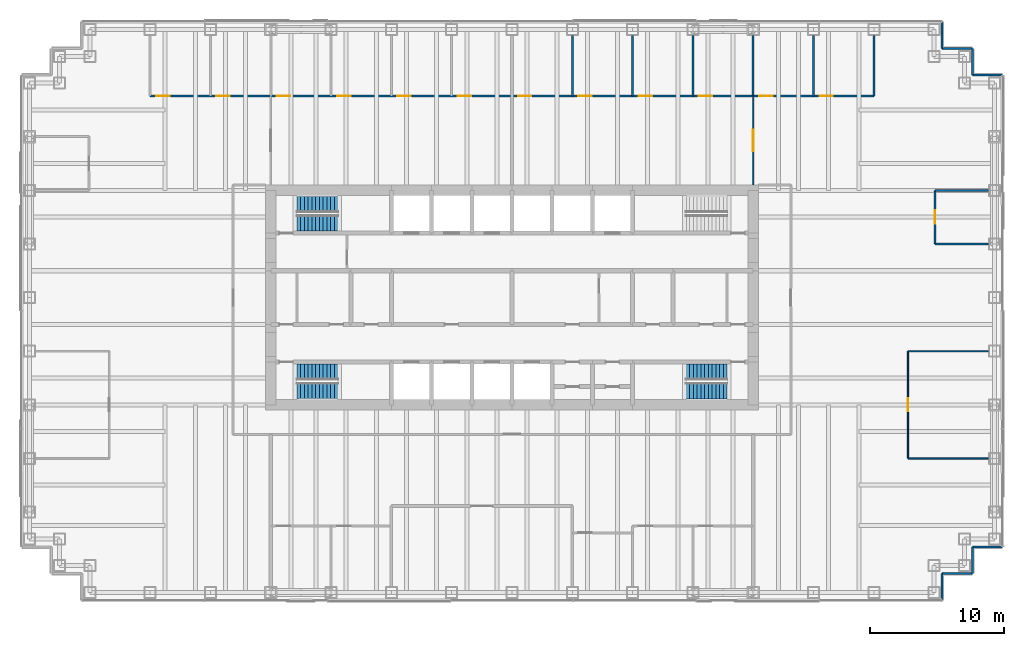
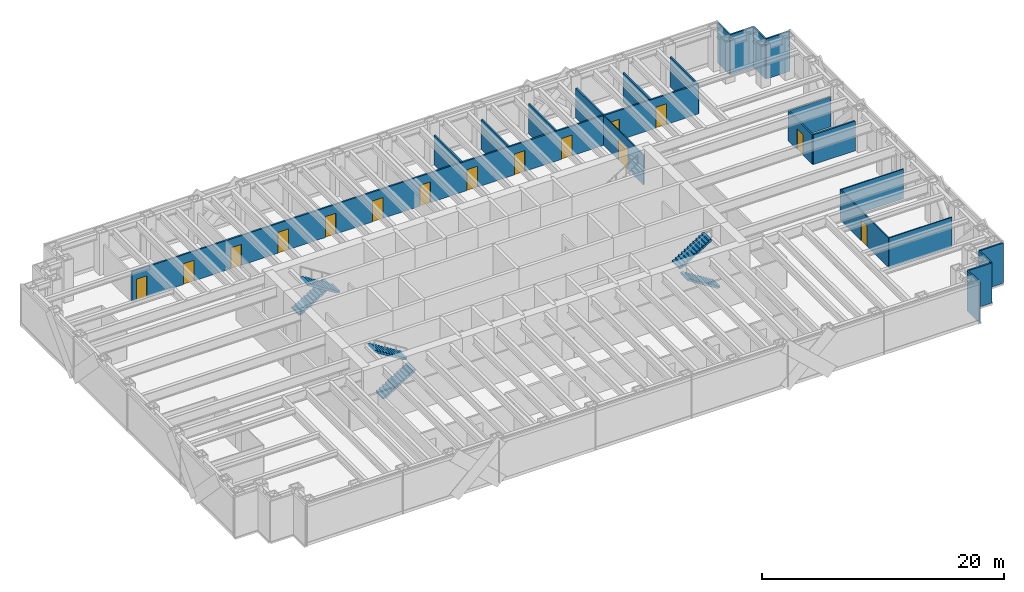
# One storey, part 15 of 17: 22 walls, 15 doors, 6 stair flights, 15 openings, 3 elements without a shape of their own.
"""IFC4 building model written with IfcOpenShell, lengths in metres."""

import ifcopenshell
import ifcopenshell.guid

model = None  # the IFC model being written
_history = None  # IfcOwnerHistory: only IFC2X3 demands one
_inside = {}  # id of a spatial element -> (the spatial element, [elements in it])
_under = {}  # id of a project, library or spatial element -> (it, [spatial elements below it])
_declared = {}  # id of a project -> (the project, [libraries it declares])
_typed = {}  # id of a type object -> (the type object, [elements of that type])
_made_of = {}  # id of a material, layer set ... -> (it, [elements and type objects made of it])


def new_model(schema):
    """Start an empty IFC model of exactly this schema.

    Asked for "IFC4X3", IfcOpenShell would pick the latest addendum, in which some entities
    have other attributes; the version numbers below select the first issue.
    IFC2X3 requires an IfcOwnerHistory on every rooted entity: one is made here for all.
    """
    global model, _history
    if schema == "IFC4X3":
        model = ifcopenshell.file(schema_version=(4, 3, 0, 0))
    else:
        model = ifcopenshell.file(schema=schema)
    _inside.clear()
    _under.clear()
    _declared.clear()
    _typed.clear()
    _made_of.clear()
    _history = None
    if model.schema == "IFC2X3":
        org = make("IfcOrganization", Name="unknown")
        user = make(
            "IfcPersonAndOrganization",
            ThePerson=make("IfcPerson", FamilyName="unknown"),
            TheOrganization=org,
        )
        app = make(
            "IfcApplication",
            ApplicationDeveloper=org,
            Version="unknown",
            ApplicationFullName="unknown",
            ApplicationIdentifier="unknown",
        )
        _history = make(
            "IfcOwnerHistory",
            OwningUser=user,
            OwningApplication=app,
            ChangeAction="ADDED",
            CreationDate=0,
        )
    return model


def make(cls, **values):
    """One entity of the class cls with the attributes given. An attribute that is None is left unset."""
    return model.create_entity(
        cls, **{name: value for name, value in values.items() if value is not None}
    )


def rooted(cls, **values):
    """An entity with a GlobalId (a new one), such as an element, a storey or a relation."""
    return make(cls, GlobalId=ifcopenshell.guid.new(), OwnerHistory=_history, **values)


def si_unit(unit_type, name, prefix=None):
    """IfcSIUnit, for example si_unit("LENGTHUNIT", "METRE", prefix="MILLI")."""
    return make("IfcSIUnit", UnitType=unit_type, Prefix=prefix, Name=name)


def assignment(units):
    """IfcUnitAssignment: the units of a project."""
    return None if units is None else make("IfcUnitAssignment", Units=units)


def point(xyz):
    """IfcCartesianPoint."""
    return None if xyz is None else make("IfcCartesianPoint", Coordinates=xyz)


def direction(xyz):
    """IfcDirection."""
    return None if xyz is None else make("IfcDirection", DirectionRatios=xyz)


def frame(location, z_axis=None, x_axis=None):
    """IfcAxis2Placement3D, a coordinate frame: its origin and axes. An axis left out is left unset."""
    return make(
        "IfcAxis2Placement3D",
        Location=point(location),
        Axis=direction(z_axis),
        RefDirection=direction(x_axis),
    )


def frame_2d(location, x_axis=None):
    """IfcAxis2Placement2D, a coordinate frame in the plane: its origin and x axis."""
    return make(
        "IfcAxis2Placement2D", Location=point(location), RefDirection=direction(x_axis)
    )


def origin():
    """The frame at (0, 0, 0) with its axes left unset."""
    return frame((0.0, 0.0, 0.0))


def place(relative_to, where):
    """IfcLocalPlacement: puts the frame where relative to a parent placement (None: the world)."""
    return make(
        "IfcLocalPlacement", PlacementRelTo=relative_to, RelativePlacement=where
    )


def context(
    kind, dimensions, precision=None, world=None, true_north=None, identifier=None
):
    """IfcGeometricRepresentationContext, for example the 3D "Model" context."""
    return make(
        "IfcGeometricRepresentationContext",
        ContextIdentifier=identifier,
        ContextType=kind,
        CoordinateSpaceDimension=dimensions,
        Precision=precision,
        WorldCoordinateSystem=world,
        TrueNorth=true_north,
    )


def subcontext(parent, identifier, kind, view, scale=None):
    """IfcGeometricRepresentationSubContext, for example "Body" below "Model"."""
    return make(
        "IfcGeometricRepresentationSubContext",
        ContextIdentifier=identifier,
        ContextType=kind,
        ParentContext=parent,
        TargetScale=scale,
        TargetView=view,
    )


def project(units=None, contexts=None):
    """IfcProject with its units and contexts."""
    return rooted(
        "IfcProject",
        Name="project",
        RepresentationContexts=contexts,
        UnitsInContext=assignment(units),
    )


def spatial(cls, under=None, at=None, **own):
    """A site, building, storey or space (cls), placed at a placement, below another one or the project."""
    s = rooted(cls, ObjectPlacement=at, **own)
    if under is not None:
        _under.setdefault(under.id(), (under, []))[1].append(s)
    return s


def polyline(points):
    """IfcPolyline through the points."""
    return make("IfcPolyline", Points=[point(p) for p in points])


def profile(cls, at=None, kind="AREA", **sizes):
    """A parametric profile (cls). Its sizes go by their IFC names, for example OverallWidth=200.0."""
    return make(cls, ProfileType=kind, Position=at, **sizes)


def rectangle(**sizes):
    """IfcRectangleProfileDef."""
    return profile("IfcRectangleProfileDef", **sizes)


def outline(outer, holes=None, kind="AREA"):
    """IfcArbitraryClosedProfileDef: a profile drawn as a closed curve; with holes, ...WithVoids."""
    if holes is None:
        return make("IfcArbitraryClosedProfileDef", ProfileType=kind, OuterCurve=outer)
    return make(
        "IfcArbitraryProfileDefWithVoids",
        ProfileType=kind,
        OuterCurve=outer,
        InnerCurves=holes,
    )


def extrude(swept, where, along, depth):
    """IfcExtrudedAreaSolid: the profile swept, set in the frame where, extruded along a direction by depth."""
    return make(
        "IfcExtrudedAreaSolid",
        SweptArea=swept,
        Position=where,
        ExtrudedDirection=direction(along),
        Depth=depth,
    )


def shape(context_of_items, identifier, shape_type, items):
    """IfcShapeRepresentation: the items that make up one representation, for example the "Body"."""
    return make(
        "IfcShapeRepresentation",
        ContextOfItems=context_of_items,
        RepresentationIdentifier=identifier,
        RepresentationType=shape_type,
        Items=items,
    )


def material(Name=None, Category=None):
    """IfcMaterial."""
    return make("IfcMaterial", Name=Name, Category=Category)


def layer(
    of_material, thickness, ventilated=None, Name=None, Category=None, Priority=None
):
    """IfcMaterialLayer: one layer of a wall or slab, of a material (None: an air gap)."""
    return make(
        "IfcMaterialLayer",
        Material=of_material,
        LayerThickness=thickness,
        IsVentilated=ventilated,
        Name=Name,
        Category=Category,
        Priority=Priority,
    )


def layer_set(layers, Name=None):
    """IfcMaterialLayerSet."""
    return make("IfcMaterialLayerSet", MaterialLayers=layers, LayerSetName=Name)


def made_of(thing, what):
    """Note that an element or type object is made of a material, layer set ...; save() writes the relation."""
    if what is not None:
        _made_of.setdefault(what.id(), (what, []))[1].append(thing)
    return thing


def type_object(cls, material=None, **own):
    """A type object (cls), such as IfcWallType, which elements share."""
    return made_of(rooted(cls, **own), material)


def element(
    cls,
    number,
    at=None,
    inside=None,
    cuts=None,
    type_object=None,
    material=None,
    context=None,
    identifier="Body",
    shape_type=None,
    held_by="IfcProductDefinitionShape",
    body=None,
    shapes=None,
    **own,
):
    """One element of the class cls, such as IfcWall. Its Tag is "e" and its number.

    at: its placement. inside: the storey or other place that contains it. cuts: it is an
    opening in that element (IfcRelVoidsElement). A single representation is given by context,
    identifier, shape_type and body (its items); several are given by shapes. held_by: the class
    of the entity that holds the representations. save() writes the other relations.
    """
    e = rooted(cls, Tag="e%d" % number, ObjectPlacement=at, **own)
    if body is not None:
        shapes = [shape(context, identifier, shape_type, body)]
    if shapes is not None:
        e.Representation = make(held_by, Representations=shapes)
    if inside is not None:
        _inside.setdefault(inside.id(), (inside, []))[1].append(e)
    if cuts is not None:
        rooted(
            "IfcRelVoidsElement", RelatingBuildingElement=cuts, RelatedOpeningElement=e
        )
    if type_object is not None:
        _typed.setdefault(type_object.id(), (type_object, []))[1].append(e)
    return made_of(e, material)


def fill(opening, filler):
    """IfcRelFillsElement: the door or window that sits in an opening."""
    return rooted(
        "IfcRelFillsElement",
        RelatingOpeningElement=opening,
        RelatedBuildingElement=filler,
    )


def aggregate(whole, parts):
    """IfcRelAggregates: a whole, such as a stair, and the parts it consists of."""
    return rooted("IfcRelAggregates", RelatingObject=whole, RelatedObjects=parts)


def save(model, path):
    """Write the relations noted so far, then the file.

    IfcRelAggregates (storeys below a building ...), IfcRelContainedInSpatialStructure (elements
    in a storey), IfcRelDefinesByType, IfcRelAssociatesMaterial and IfcRelDeclares: one each for
    every whole, place, type object, material and project.
    """
    for whole, parts in _under.values():
        aggregate(whole, parts)
    for where, things in _inside.values():
        rooted(
            "IfcRelContainedInSpatialStructure",
            RelatedElements=things,
            RelatingStructure=where,
        )
    for kind, things in _typed.values():
        rooted("IfcRelDefinesByType", RelatedObjects=things, RelatingType=kind)
    for what, things in _made_of.values():
        rooted("IfcRelAssociatesMaterial", RelatedObjects=things, RelatingMaterial=what)
    for by, libraries in _declared.values():
        rooted("IfcRelDeclares", RelatingContext=by, RelatedDefinitions=libraries)
    model.write(path)


model = new_model("IFC4")

# Units and contexts
model_context = context("Model", 3, precision=1e-05, world=origin(), true_north=direction((0.0, 1.0)))
body_context = subcontext(model_context, "Body", "Model", "MODEL_VIEW")
ifc_project = project(units=[si_unit("LENGTHUNIT", "METRE"), si_unit("AREAUNIT", "SQUARE_METRE"), si_unit("VOLUMEUNIT", "CUBIC_METRE"), si_unit("PLANEANGLEUNIT", "RADIAN"), si_unit("MASSUNIT", "GRAM", prefix="KILO")], contexts=[model_context])

# Site, building, storey
site_placement = place(None, origin())
site = spatial("IfcSite", under=ifc_project, at=site_placement, CompositionType="ELEMENT")
building_placement = place(site_placement, origin())
building = spatial("IfcBuilding", under=site, at=building_placement, Name="Rheinbord Bourse Tower", CompositionType="ELEMENT")
storey_placement = place(building_placement, frame((0.0, 0.0, 227.800048828125)))
storey = spatial("IfcBuildingStorey", under=building, at=storey_placement, Name="L51", CompositionType="ELEMENT", Elevation=227.800048828125)

# Walls
ifc_material_1 = material(Name="Black metal rainscreen panel", Category="aluminium")
ifc_layer_1 = layer(ifc_material_1, 0.14990234375)
ifc_layer_set_1 = layer_set([ifc_layer_1], Name="CORNER PIER CLADDING 150")
wall_type_1 = type_object("IfcWallType", Name="CORNER PIER CLADDING 150", PredefinedType="ELEMENTEDWALL", material=ifc_layer_set_1)
wall_1_placement = place(storey_placement, frame((68.10009765625, 1.39990234375, 0.0), z_axis=(0.0, 0.0, 1.0), x_axis=(0.0, 1.0, 0.0)))
element("IfcWall", 1, at=wall_1_placement, inside=storey, type_object=wall_type_1, Name="Corner pier cladding L51 2", PredefinedType="ELEMENTEDWALL", context=body_context, shape_type="SweptSolid", body=[
    extrude(rectangle(XDim=2.0, YDim=0.14990234375, at=frame_2d((1.0, 0.0))), origin(), (0.0, 0.0, 1.0), 4.0400390625),
])
wall_2_placement = place(storey_placement, frame((68.10009765625, 3.39990234375, 0.0), z_axis=(0.0, 0.0, 1.0), x_axis=(1.0, 0.0, 0.0)))
element("IfcWall", 2, at=wall_2_placement, inside=storey, type_object=wall_type_1, Name="Corner pier cladding L51 3", PredefinedType="ELEMENTEDWALL", context=body_context, shape_type="SweptSolid", body=[
    extrude(rectangle(XDim=2.25, YDim=0.14990234375, at=frame_2d((1.125, 0.0))), origin(), (0.0, 0.0, 1.0), 4.0400390625),
])
wall_3_placement = place(storey_placement, frame((70.35009765625, 3.39990234375, 0.0), z_axis=(0.0, 0.0, 1.0), x_axis=(0.0, 1.0, 0.0)))
element("IfcWall", 3, at=wall_3_placement, inside=storey, type_object=wall_type_1, Name="Corner pier cladding L51 4", PredefinedType="ELEMENTEDWALL", context=body_context, shape_type="SweptSolid", body=[
    extrude(rectangle(XDim=2.0, YDim=0.14990234375, at=frame_2d((1.0, 0.0))), origin(), (0.0, 0.0, 1.0), 4.0400390625),
])
for number, where, z_axis, x_axis, name in (
    (4, (70.35009765625, 5.39990234375, 0.0), (0.0, 0.0, 1.0), (1.0, 0.0, 0.0), "Corner pier cladding L51 5"),
    (5, (72.60009765625, 40.60009765625, 0.0), (0.0, 0.0, 1.0), (-1.0, 0.0, 0.0), "Corner pier cladding L51 7"),
):
    element("IfcWall", number, at=place(storey_placement, frame(where, z_axis=z_axis, x_axis=x_axis)), inside=storey, type_object=wall_type_1, Name=name, PredefinedType="ELEMENTEDWALL", context=body_context, shape_type="SweptSolid", body=[
        extrude(rectangle(XDim=2.25, YDim=0.14990234375, at=frame_2d((1.125, 0.0))), origin(), (0.0, 0.0, 1.0), 4.0400390625),
    ])
wall_4_placement = place(storey_placement, frame((70.35009765625, 40.60009765625, 0.0), z_axis=(0.0, 0.0, 1.0), x_axis=(0.0, 1.0, 0.0)))
element("IfcWall", 6, at=wall_4_placement, inside=storey, type_object=wall_type_1, Name="Corner pier cladding L51 8", PredefinedType="ELEMENTEDWALL", context=body_context, shape_type="SweptSolid", body=[
    extrude(rectangle(XDim=2.0, YDim=0.14990234375, at=frame_2d((1.0, 0.0))), origin(), (0.0, 0.0, 1.0), 4.0400390625),
])
wall_5_placement = place(storey_placement, frame((70.35009765625, 42.60009765625, 0.0), z_axis=(0.0, 0.0, 1.0), x_axis=(-1.0, 0.0, 0.0)))
element("IfcWall", 7, at=wall_5_placement, inside=storey, type_object=wall_type_1, Name="Corner pier cladding L51 9", PredefinedType="ELEMENTEDWALL", context=body_context, shape_type="SweptSolid", body=[
    extrude(rectangle(XDim=2.25, YDim=0.14990234375, at=frame_2d((1.125, 0.0))), origin(), (0.0, 0.0, 1.0), 4.0400390625),
])
wall_6_placement = place(storey_placement, frame((68.10009765625, 42.60009765625, 0.0), z_axis=(0.0, 0.0, 1.0), x_axis=(0.0, 1.0, 0.0)))
element("IfcWall", 8, at=wall_6_placement, inside=storey, type_object=wall_type_1, Name="Corner pier cladding L51 10", PredefinedType="ELEMENTEDWALL", context=body_context, shape_type="SweptSolid", body=[
    extrude(rectangle(XDim=2.0, YDim=0.14990234375, at=frame_2d((1.0, 0.0))), origin(), (0.0, 0.0, 1.0), 4.0400390625),
])
ifc_material_2 = material(Name="Toughened laminated glass partition", Category="glass")
ifc_layer_2 = layer(ifc_material_2, 0.10009765625)
ifc_layer_set_2 = layer_set([ifc_layer_2], Name="GLAZED PARTITION 100")
wall_type_2 = type_object("IfcWallType", Name="GLAZED PARTITION 100", PredefinedType="PARTITIONING", material=ifc_layer_set_2)
for number, where, z_axis, x_axis, name in (
    (9, (65.550048828125, 12.0, 0.0), (0.0, 0.0, 1.0), (1.0, 0.0, 0.0), "Partition L51-06"),
    (10, (65.550048828125, 20.0, 0.0), (0.0, 0.0, 1.0), (1.0, 0.0, 0.0), "Partition L51-09"),
):
    element("IfcWall", number, at=place(storey_placement, frame(where, z_axis=z_axis, x_axis=x_axis)), inside=storey, type_object=wall_type_2, Name=name, PredefinedType="PARTITIONING", context=body_context, shape_type="SweptSolid", body=[
        extrude(rectangle(XDim=6.0, YDim=0.10009765625, at=frame_2d((3.0, 0.0))), origin(), (0.0, 0.0, 1.0), 3.0),
    ])

# Wall, opening, door
wall_7_placement = place(storey_placement, frame((54.0, 32.39990234375, 0.0), z_axis=(0.0, 0.0, 1.0), x_axis=(0.0, 1.0, 0.0)))
wall_7 = element("IfcWall", 11, at=wall_7_placement, inside=storey, type_object=wall_type_2, Name="Partition L51-38", PredefinedType="PARTITIONING", context=body_context, shape_type="SweptSolid", body=[
    extrude(rectangle(XDim=6.650146484375, YDim=0.10009765625, at=frame_2d((3.3251953125, 0.0))), origin(), (0.0, 0.0, 1.0), 3.0),
])
opening_1_placement = place(wall_7_placement, frame((2.52490234375, 0.0, 0.0)))
opening_1 = element("IfcOpeningElement", 12, at=opening_1_placement, cuts=wall_7, Name="Opening 51D24", PredefinedType="OPENING", context=body_context, shape_type="SweptSolid", body=[
    extrude(rectangle(XDim=1.60009765625, YDim=2.10009765625, at=frame_2d((0.800048828125, 1.050048828125))), frame((0.0, 0.06005859375, 0.0), z_axis=(0.0, -1.0, 0.0), x_axis=(1.0, 0.0, 0.0)), (0.0, 0.0, 1.0), 0.1201171875),
])
ifc_material_3 = material(Name="Timber door", Category="wood")
door_type_1 = type_object("IfcDoorType", Name="DOUBLE ROOM DOOR 1600", OperationType="DOUBLE_DOOR_DOUBLE_SWING", PredefinedType="DOOR", material=ifc_material_3)
door_1_placement = place(opening_1_placement, origin())
door_1 = element("IfcDoor", 13, at=door_1_placement, inside=storey, type_object=door_type_1, Name="Open area door L51", OperationType="SINGLE_SWING_LEFT", OverallHeight=2.10009765625, OverallWidth=1.60009765625, PredefinedType="DOOR", context=body_context, shape_type="SweptSolid", body=[
    extrude(rectangle(XDim=1.60009765625, YDim=2.10009765625, at=frame_2d((0.800048828125, 1.050048828125))), frame((0.0, 0.02490234375, 0.0), z_axis=(0.0, -1.0, 0.0), x_axis=(1.0, 0.0, 0.0)), (0.0, 0.0, 1.0), 0.050048828125),
])
fill(opening_1, door_1)

wall_8_placement = place(storey_placement, frame((65.550048828125, 12.0, 0.0), z_axis=(0.0, 0.0, 1.0), x_axis=(0.0, 1.0, 0.0)))
wall_8 = element("IfcWall", 14, at=wall_8_placement, inside=storey, type_object=wall_type_2, Name="Partition L51-43", PredefinedType="PARTITIONING", context=body_context, shape_type="SweptSolid", body=[
    extrude(rectangle(XDim=8.0, YDim=0.10009765625, at=frame_2d((4.0, 0.0))), origin(), (0.0, 0.0, 1.0), 3.0),
])
opening_2_placement = place(wall_8_placement, frame((3.5, 0.0, 0.0)))
opening_2 = element("IfcOpeningElement", 15, at=opening_2_placement, cuts=wall_8, Name="Opening 51D07", PredefinedType="OPENING", context=body_context, shape_type="SweptSolid", body=[
    extrude(rectangle(XDim=1.0, YDim=2.10009765625, at=frame_2d((0.5, 1.050048828125))), frame((0.0, 0.06005859375, 0.0), z_axis=(0.0, -1.0, 0.0), x_axis=(1.0, 0.0, 0.0)), (0.0, 0.0, 1.0), 0.1201171875),
])
ifc_material_4 = material(Name="Timber door", Category="wood")
door_type_2 = type_object("IfcDoorType", Name="ROOM DOOR 1000", OperationType="SINGLE_SWING_LEFT", PredefinedType="DOOR", material=ifc_material_4)
door_2_placement = place(opening_2_placement, origin())
door_2 = element("IfcDoor", 16, at=door_2_placement, inside=storey, type_object=door_type_2, Name="Meeting room door L51", OperationType="SINGLE_SWING_LEFT", OverallHeight=2.10009765625, OverallWidth=1.0, PredefinedType="DOOR", context=body_context, shape_type="SweptSolid", body=[
    extrude(rectangle(XDim=1.0, YDim=2.10009765625, at=frame_2d((0.5, 1.050048828125))), frame((0.0, 0.02490234375, 0.0), z_axis=(0.0, -1.0, 0.0), x_axis=(1.0, 0.0, 0.0)), (0.0, 0.0, 1.0), 0.050048828125),
])
fill(opening_2, door_2)

# Walls
ifc_material_5 = material(Name="Gypsum board partition", Category="gypsum board")
ifc_layer_3 = layer(ifc_material_5, 0.14990234375)
ifc_layer_set_3 = layer_set([ifc_layer_3], Name="PARTITION 150")
wall_type_3 = type_object("IfcWallType", Name="PARTITION 150", PredefinedType="PARTITIONING", material=ifc_layer_set_3)
for number, where, z_axis, x_axis, name in (
    (17, (67.550048828125, 28.0, 0.0), (0.0, 0.0, 1.0), (1.0, 0.0, 0.0), "Partition L51-10"),
    (18, (67.550048828125, 32.0, 0.0), (0.0, 0.0, 1.0), (1.0, 0.0, 0.0), "Partition L51-12"),
):
    element("IfcWall", number, at=place(storey_placement, frame(where, z_axis=z_axis, x_axis=x_axis)), inside=storey, type_object=wall_type_3, Name=name, PredefinedType="PARTITIONING", context=body_context, shape_type="SweptSolid", body=[
        extrude(rectangle(XDim=4.0, YDim=0.14990234375, at=frame_2d((2.0, 0.0))), origin(), (0.0, 0.0, 1.0), 3.0),
    ])

# Wall, openings, doors
wall_9_placement = place(storey_placement, frame((9.0, 39.050048828125, 0.0), z_axis=(0.0, 0.0, 1.0), x_axis=(1.0, 0.0, 0.0)))
wall_9 = element("IfcWall", 19, at=wall_9_placement, inside=storey, type_object=wall_type_3, Name="Partition L51-16", PredefinedType="PARTITIONING", context=body_context, shape_type="SweptSolid", body=[
    extrude(rectangle(XDim=54.0, YDim=0.14990234375, at=frame_2d((27.0, 0.0))), origin(), (0.0, 0.0, 1.0), 3.0),
])
opening_3_placement = place(wall_9_placement, frame((0.449951171875, 0.0, 0.0)))
opening_3 = element("IfcOpeningElement", 20, at=opening_3_placement, cuts=wall_9, Name="Opening 51D11", PredefinedType="OPENING", context=body_context, shape_type="SweptSolid", body=[
    extrude(rectangle(XDim=1.0, YDim=2.10009765625, at=frame_2d((0.5, 1.050048828125))), frame((0.0, 0.0849609375, 0.0), z_axis=(0.0, -1.0, 0.0), x_axis=(1.0, 0.0, 0.0)), (0.0, 0.0, 1.0), 0.169921875),
])
opening_4_placement = place(wall_9_placement, frame((4.949951171875, 0.0, 0.0)))
opening_4 = element("IfcOpeningElement", 21, at=opening_4_placement, cuts=wall_9, Name="Opening 51D12", PredefinedType="OPENING", context=body_context, shape_type="SweptSolid", body=[
    extrude(rectangle(XDim=1.0, YDim=2.10009765625, at=frame_2d((0.5, 1.050048828125))), frame((0.0, 0.0849609375, 0.0), z_axis=(0.0, -1.0, 0.0), x_axis=(1.0, 0.0, 0.0)), (0.0, 0.0, 1.0), 0.169921875),
])
opening_5_placement = place(wall_9_placement, frame((9.449951171875, 0.0, 0.0)))
opening_5 = element("IfcOpeningElement", 22, at=opening_5_placement, cuts=wall_9, Name="Opening 51D13", PredefinedType="OPENING", context=body_context, shape_type="SweptSolid", body=[
    extrude(rectangle(XDim=1.0, YDim=2.10009765625, at=frame_2d((0.5, 1.050048828125))), frame((0.0, 0.0849609375, 0.0), z_axis=(0.0, -1.0, 0.0), x_axis=(1.0, 0.0, 0.0)), (0.0, 0.0, 1.0), 0.169921875),
])
opening_6_placement = place(wall_9_placement, frame((13.949951171875, 0.0, 0.0)))
opening_6 = element("IfcOpeningElement", 23, at=opening_6_placement, cuts=wall_9, Name="Opening 51D14", PredefinedType="OPENING", context=body_context, shape_type="SweptSolid", body=[
    extrude(rectangle(XDim=1.0, YDim=2.10009765625, at=frame_2d((0.5, 1.050048828125))), frame((0.0, 0.0849609375, 0.0), z_axis=(0.0, -1.0, 0.0), x_axis=(1.0, 0.0, 0.0)), (0.0, 0.0, 1.0), 0.169921875),
])
opening_7_placement = place(wall_9_placement, frame((18.449951171875, 0.0, 0.0)))
opening_7 = element("IfcOpeningElement", 24, at=opening_7_placement, cuts=wall_9, Name="Opening 51D15", PredefinedType="OPENING", context=body_context, shape_type="SweptSolid", body=[
    extrude(rectangle(XDim=1.0, YDim=2.10009765625, at=frame_2d((0.5, 1.050048828125))), frame((0.0, 0.0849609375, 0.0), z_axis=(0.0, -1.0, 0.0), x_axis=(1.0, 0.0, 0.0)), (0.0, 0.0, 1.0), 0.169921875),
])
opening_8_placement = place(wall_9_placement, frame((22.949951171875, 0.0, 0.0)))
opening_8 = element("IfcOpeningElement", 25, at=opening_8_placement, cuts=wall_9, Name="Opening 51D16", PredefinedType="OPENING", context=body_context, shape_type="SweptSolid", body=[
    extrude(rectangle(XDim=1.0, YDim=2.10009765625, at=frame_2d((0.5, 1.050048828125))), frame((0.0, 0.0849609375, 0.0), z_axis=(0.0, -1.0, 0.0), x_axis=(1.0, 0.0, 0.0)), (0.0, 0.0, 1.0), 0.169921875),
])
opening_9_placement = place(wall_9_placement, frame((27.449951171875, 0.0, 0.0)))
opening_9 = element("IfcOpeningElement", 26, at=opening_9_placement, cuts=wall_9, Name="Opening 51D17", PredefinedType="OPENING", context=body_context, shape_type="SweptSolid", body=[
    extrude(rectangle(XDim=1.0, YDim=2.10009765625, at=frame_2d((0.5, 1.050048828125))), frame((0.0, 0.0849609375, 0.0), z_axis=(0.0, -1.0, 0.0), x_axis=(1.0, 0.0, 0.0)), (0.0, 0.0, 1.0), 0.169921875),
])
opening_10_placement = place(wall_9_placement, frame((31.949951171875, 0.0, 0.0)))
opening_10 = element("IfcOpeningElement", 27, at=opening_10_placement, cuts=wall_9, Name="Opening 51D18", PredefinedType="OPENING", context=body_context, shape_type="SweptSolid", body=[
    extrude(rectangle(XDim=1.0, YDim=2.10009765625, at=frame_2d((0.5, 1.050048828125))), frame((0.0, 0.0849609375, 0.0), z_axis=(0.0, -1.0, 0.0), x_axis=(1.0, 0.0, 0.0)), (0.0, 0.0, 1.0), 0.169921875),
])
opening_11_placement = place(wall_9_placement, frame((36.449951171875, 0.0, 0.0)))
opening_11 = element("IfcOpeningElement", 28, at=opening_11_placement, cuts=wall_9, Name="Opening 51D19", PredefinedType="OPENING", context=body_context, shape_type="SweptSolid", body=[
    extrude(rectangle(XDim=1.0, YDim=2.10009765625, at=frame_2d((0.5, 1.050048828125))), frame((0.0, 0.0849609375, 0.0), z_axis=(0.0, -1.0, 0.0), x_axis=(1.0, 0.0, 0.0)), (0.0, 0.0, 1.0), 0.169921875),
])
opening_12_placement = place(wall_9_placement, frame((40.949951171875, 0.0, 0.0)))
opening_12 = element("IfcOpeningElement", 29, at=opening_12_placement, cuts=wall_9, Name="Opening 51D20", PredefinedType="OPENING", context=body_context, shape_type="SweptSolid", body=[
    extrude(rectangle(XDim=1.0, YDim=2.10009765625, at=frame_2d((0.5, 1.050048828125))), frame((0.0, 0.0849609375, 0.0), z_axis=(0.0, -1.0, 0.0), x_axis=(1.0, 0.0, 0.0)), (0.0, 0.0, 1.0), 0.169921875),
])
opening_13_placement = place(wall_9_placement, frame((45.449951171875, 0.0, 0.0)))
opening_13 = element("IfcOpeningElement", 30, at=opening_13_placement, cuts=wall_9, Name="Opening 51D21", PredefinedType="OPENING", context=body_context, shape_type="SweptSolid", body=[
    extrude(rectangle(XDim=1.0, YDim=2.10009765625, at=frame_2d((0.5, 1.050048828125))), frame((0.0, 0.0849609375, 0.0), z_axis=(0.0, -1.0, 0.0), x_axis=(1.0, 0.0, 0.0)), (0.0, 0.0, 1.0), 0.169921875),
])
opening_14_placement = place(wall_9_placement, frame((49.949951171875, 0.0, 0.0)))
opening_14 = element("IfcOpeningElement", 31, at=opening_14_placement, cuts=wall_9, Name="Opening 51D22", PredefinedType="OPENING", context=body_context, shape_type="SweptSolid", body=[
    extrude(rectangle(XDim=1.0, YDim=2.10009765625, at=frame_2d((0.5, 1.050048828125))), frame((0.0, 0.0849609375, 0.0), z_axis=(0.0, -1.0, 0.0), x_axis=(1.0, 0.0, 0.0)), (0.0, 0.0, 1.0), 0.169921875),
])
door_3_placement = place(opening_3_placement, origin())
door_3 = element("IfcDoor", 32, at=door_3_placement, inside=storey, type_object=door_type_2, Name="Office door L51", OperationType="SINGLE_SWING_LEFT", OverallHeight=2.10009765625, OverallWidth=1.0, PredefinedType="DOOR", context=body_context, shape_type="SweptSolid", body=[
    extrude(rectangle(XDim=1.0, YDim=2.10009765625, at=frame_2d((0.5, 1.050048828125))), frame((0.0, 0.02490234375, 0.0), z_axis=(0.0, -1.0, 0.0), x_axis=(1.0, 0.0, 0.0)), (0.0, 0.0, 1.0), 0.050048828125),
])
fill(opening_3, door_3)
door_4_placement = place(opening_4_placement, origin())
door_4 = element("IfcDoor", 33, at=door_4_placement, inside=storey, type_object=door_type_2, Name="Office door L51", OperationType="SINGLE_SWING_LEFT", OverallHeight=2.10009765625, OverallWidth=1.0, PredefinedType="DOOR", context=body_context, shape_type="SweptSolid", body=[
    extrude(rectangle(XDim=1.0, YDim=2.10009765625, at=frame_2d((0.5, 1.050048828125))), frame((0.0, 0.02490234375, 0.0), z_axis=(0.0, -1.0, 0.0), x_axis=(1.0, 0.0, 0.0)), (0.0, 0.0, 1.0), 0.050048828125),
])
fill(opening_4, door_4)
door_5_placement = place(opening_5_placement, origin())
door_5 = element("IfcDoor", 34, at=door_5_placement, inside=storey, type_object=door_type_2, Name="Office door L51", OperationType="SINGLE_SWING_LEFT", OverallHeight=2.10009765625, OverallWidth=1.0, PredefinedType="DOOR", context=body_context, shape_type="SweptSolid", body=[
    extrude(rectangle(XDim=1.0, YDim=2.10009765625, at=frame_2d((0.5, 1.050048828125))), frame((0.0, 0.02490234375, 0.0), z_axis=(0.0, -1.0, 0.0), x_axis=(1.0, 0.0, 0.0)), (0.0, 0.0, 1.0), 0.050048828125),
])
fill(opening_5, door_5)
door_6_placement = place(opening_6_placement, origin())
door_6 = element("IfcDoor", 35, at=door_6_placement, inside=storey, type_object=door_type_2, Name="Office door L51", OperationType="SINGLE_SWING_LEFT", OverallHeight=2.10009765625, OverallWidth=1.0, PredefinedType="DOOR", context=body_context, shape_type="SweptSolid", body=[
    extrude(rectangle(XDim=1.0, YDim=2.10009765625, at=frame_2d((0.5, 1.050048828125))), frame((0.0, 0.02490234375, 0.0), z_axis=(0.0, -1.0, 0.0), x_axis=(1.0, 0.0, 0.0)), (0.0, 0.0, 1.0), 0.050048828125),
])
fill(opening_6, door_6)
door_7_placement = place(opening_7_placement, origin())
door_7 = element("IfcDoor", 36, at=door_7_placement, inside=storey, type_object=door_type_2, Name="Office door L51", OperationType="SINGLE_SWING_LEFT", OverallHeight=2.10009765625, OverallWidth=1.0, PredefinedType="DOOR", context=body_context, shape_type="SweptSolid", body=[
    extrude(rectangle(XDim=1.0, YDim=2.10009765625, at=frame_2d((0.5, 1.050048828125))), frame((0.0, 0.02490234375, 0.0), z_axis=(0.0, -1.0, 0.0), x_axis=(1.0, 0.0, 0.0)), (0.0, 0.0, 1.0), 0.050048828125),
])
fill(opening_7, door_7)
door_8_placement = place(opening_8_placement, origin())
door_8 = element("IfcDoor", 37, at=door_8_placement, inside=storey, type_object=door_type_2, Name="Office door L51", OperationType="SINGLE_SWING_LEFT", OverallHeight=2.10009765625, OverallWidth=1.0, PredefinedType="DOOR", context=body_context, shape_type="SweptSolid", body=[
    extrude(rectangle(XDim=1.0, YDim=2.10009765625, at=frame_2d((0.5, 1.050048828125))), frame((0.0, 0.02490234375, 0.0), z_axis=(0.0, -1.0, 0.0), x_axis=(1.0, 0.0, 0.0)), (0.0, 0.0, 1.0), 0.050048828125),
])
fill(opening_8, door_8)
door_9_placement = place(opening_9_placement, origin())
door_9 = element("IfcDoor", 38, at=door_9_placement, inside=storey, type_object=door_type_2, Name="Office door L51", OperationType="SINGLE_SWING_RIGHT", OverallHeight=2.10009765625, OverallWidth=1.0, PredefinedType="DOOR", context=body_context, shape_type="SweptSolid", body=[
    extrude(rectangle(XDim=1.0, YDim=2.10009765625, at=frame_2d((0.5, 1.050048828125))), frame((0.0, 0.02490234375, 0.0), z_axis=(0.0, -1.0, 0.0), x_axis=(1.0, 0.0, 0.0)), (0.0, 0.0, 1.0), 0.050048828125),
])
fill(opening_9, door_9)
door_10_placement = place(opening_10_placement, origin())
door_10 = element("IfcDoor", 39, at=door_10_placement, inside=storey, type_object=door_type_2, Name="Office door L51", OperationType="SINGLE_SWING_RIGHT", OverallHeight=2.10009765625, OverallWidth=1.0, PredefinedType="DOOR", context=body_context, shape_type="SweptSolid", body=[
    extrude(rectangle(XDim=1.0, YDim=2.10009765625, at=frame_2d((0.5, 1.050048828125))), frame((0.0, 0.02490234375, 0.0), z_axis=(0.0, -1.0, 0.0), x_axis=(1.0, 0.0, 0.0)), (0.0, 0.0, 1.0), 0.050048828125),
])
fill(opening_10, door_10)
door_11_placement = place(opening_11_placement, origin())
door_11 = element("IfcDoor", 40, at=door_11_placement, inside=storey, type_object=door_type_2, Name="Office door L51", OperationType="SINGLE_SWING_RIGHT", OverallHeight=2.10009765625, OverallWidth=1.0, PredefinedType="DOOR", context=body_context, shape_type="SweptSolid", body=[
    extrude(rectangle(XDim=1.0, YDim=2.10009765625, at=frame_2d((0.5, 1.050048828125))), frame((0.0, 0.02490234375, 0.0), z_axis=(0.0, -1.0, 0.0), x_axis=(1.0, 0.0, 0.0)), (0.0, 0.0, 1.0), 0.050048828125),
])
fill(opening_11, door_11)
door_12_placement = place(opening_12_placement, origin())
door_12 = element("IfcDoor", 41, at=door_12_placement, inside=storey, type_object=door_type_2, Name="Office door L51", OperationType="SINGLE_SWING_RIGHT", OverallHeight=2.10009765625, OverallWidth=1.0, PredefinedType="DOOR", context=body_context, shape_type="SweptSolid", body=[
    extrude(rectangle(XDim=1.0, YDim=2.10009765625, at=frame_2d((0.5, 1.050048828125))), frame((0.0, 0.02490234375, 0.0), z_axis=(0.0, -1.0, 0.0), x_axis=(1.0, 0.0, 0.0)), (0.0, 0.0, 1.0), 0.050048828125),
])
fill(opening_12, door_12)
door_13_placement = place(opening_13_placement, origin())
door_13 = element("IfcDoor", 42, at=door_13_placement, inside=storey, type_object=door_type_2, Name="Office door L51", OperationType="SINGLE_SWING_RIGHT", OverallHeight=2.10009765625, OverallWidth=1.0, PredefinedType="DOOR", context=body_context, shape_type="SweptSolid", body=[
    extrude(rectangle(XDim=1.0, YDim=2.10009765625, at=frame_2d((0.5, 1.050048828125))), frame((0.0, 0.02490234375, 0.0), z_axis=(0.0, -1.0, 0.0), x_axis=(1.0, 0.0, 0.0)), (0.0, 0.0, 1.0), 0.050048828125),
])
fill(opening_13, door_13)
door_14_placement = place(opening_14_placement, origin())
door_14 = element("IfcDoor", 43, at=door_14_placement, inside=storey, type_object=door_type_2, Name="Office door L51", OperationType="SINGLE_SWING_RIGHT", OverallHeight=2.10009765625, OverallWidth=1.0, PredefinedType="DOOR", context=body_context, shape_type="SweptSolid", body=[
    extrude(rectangle(XDim=1.0, YDim=2.10009765625, at=frame_2d((0.5, 1.050048828125))), frame((0.0, 0.02490234375, 0.0), z_axis=(0.0, -1.0, 0.0), x_axis=(1.0, 0.0, 0.0)), (0.0, 0.0, 1.0), 0.050048828125),
])
fill(opening_14, door_14)

# Walls
for number, where, z_axis, x_axis, name in (
    (44, (40.5, 39.050048828125, 0.0), (0.0, 0.0, 1.0), (0.0, 1.0, 0.0), "Partition L51-32"),
    (45, (45.0, 39.050048828125, 0.0), (0.0, 0.0, 1.0), (0.0, 1.0, 0.0), "Partition L51-34"),
    (46, (49.5, 39.050048828125, 0.0), (0.0, 0.0, 1.0), (0.0, 1.0, 0.0), "Partition L51-36"),
    (47, (54.0, 39.050048828125, 0.0), (0.0, 0.0, 1.0), (0.0, 1.0, 0.0), "Partition L51-39"),
    (48, (58.5, 39.050048828125, 0.0), (0.0, 0.0, 1.0), (0.0, 1.0, 0.0), "Partition L51-41"),
    (49, (63.0, 39.050048828125, 0.0), (0.0, 0.0, 1.0), (0.0, 1.0, 0.0), "Partition L51-42"),
):
    element("IfcWall", number, at=place(storey_placement, frame(where, z_axis=z_axis, x_axis=x_axis)), inside=storey, type_object=wall_type_3, Name=name, PredefinedType="PARTITIONING", context=body_context, shape_type="SweptSolid", body=[
        extrude(rectangle(XDim=4.5, YDim=0.14990234375, at=frame_2d((2.25, 0.0))), origin(), (0.0, 0.0, 1.0), 3.0),
    ])

# Wall, opening, door
wall_10_placement = place(storey_placement, frame((67.550048828125, 28.0, 0.0), z_axis=(0.0, 0.0, 1.0), x_axis=(0.0, 1.0, 0.0)))
wall_10 = element("IfcWall", 50, at=wall_10_placement, inside=storey, type_object=wall_type_3, Name="Partition L51-44", PredefinedType="PARTITIONING", context=body_context, shape_type="SweptSolid", body=[
    extrude(rectangle(XDim=4.0, YDim=0.14990234375, at=frame_2d((2.0, 0.0))), origin(), (0.0, 0.0, 1.0), 3.0),
])
opening_15_placement = place(wall_10_placement, frame((1.5, 0.0, 0.0)))
opening_15 = element("IfcOpeningElement", 51, at=opening_15_placement, cuts=wall_10, Name="Opening 51D09", PredefinedType="OPENING", context=body_context, shape_type="SweptSolid", body=[
    extrude(rectangle(XDim=1.0, YDim=2.10009765625, at=frame_2d((0.5, 1.050048828125))), frame((0.0, 0.0849609375, 0.0), z_axis=(0.0, -1.0, 0.0), x_axis=(1.0, 0.0, 0.0)), (0.0, 0.0, 1.0), 0.169921875),
])
door_15_placement = place(opening_15_placement, origin())
door_15 = element("IfcDoor", 52, at=door_15_placement, inside=storey, type_object=door_type_2, Name="Kitchenette door L51", OperationType="SINGLE_SWING_LEFT", OverallHeight=2.10009765625, OverallWidth=1.0, PredefinedType="DOOR", context=body_context, shape_type="SweptSolid", body=[
    extrude(rectangle(XDim=1.0, YDim=2.10009765625, at=frame_2d((0.5, 1.050048828125))), frame((0.0, 0.02490234375, 0.0), z_axis=(0.0, -1.0, 0.0), x_axis=(1.0, 0.0, 0.0)), (0.0, 0.0, 1.0), 0.050048828125),
])
fill(opening_15, door_15)

# Stair, stair flights
ifc_material_6 = material(Name="Concrete C30/37", Category="concrete")
stair_type = type_object("IfcStairType", Name="CORE STAIR HALF TURN 4200", PredefinedType="HALF_TURN_STAIR", material=ifc_material_6)
stair_1_placement = place(storey_placement, origin())
stair_1 = element("IfcStair", 53, at=stair_1_placement, inside=storey, type_object=stair_type, Name="Stair ST1 L51, type CS6", PredefinedType="HALF_TURN_STAIR")
ifc_material_7 = material(Name="Concrete C30/37", Category="concrete")
stair_flight_type = type_object("IfcStairFlightType", Name="CORE STAIR FLIGHT 1200, 12 RISERS", PredefinedType="STRAIGHT", material=ifc_material_7)
stair_flight_1_placement = place(storey_placement, frame((19.949951171875, 17.050048828125, 0.0), z_axis=(0.0, 0.0, 1.0), x_axis=(1.0, 0.0, 0.0)))
stair_flight_1 = element("IfcStairFlight", 54, at=stair_flight_1_placement, type_object=stair_flight_type, Name="STAIR L51 ST1 F1", NumberOfRisers=12, NumberOfTreads=11, PredefinedType="STRAIGHT", RiserHeight=0.175, TreadLength=0.28, context=body_context, shape_type="SweptSolid", body=[
    extrude(outline(polyline([(0.0, 0.0), (0.0, 0.175048828125), (0.280029296875, 0.175048828125), (0.280029296875, 0.35009765625), (0.56005859375, 0.35009765625), (0.56005859375, 0.52490234375), (0.840087890625, 0.52490234375), (0.840087890625, 0.699951171875), (1.1201171875, 0.699951171875), (1.1201171875, 0.875), (1.39990234375, 0.875), (1.39990234375, 1.050048828125), (1.679931640625, 1.050048828125), (1.679931640625, 1.22509765625), (1.9599609375, 1.22509765625), (1.9599609375, 1.39990234375), (2.239990234375, 1.39990234375), (2.239990234375, 1.574951171875), (2.52001953125, 1.574951171875), (2.52001953125, 1.75), (2.800048828125, 1.75), (2.800048828125, 1.925048828125), (3.080078125, 1.925048828125), (3.080078125, 2.10009765625), (3.080078125, 1.748291015625), (0.28271484375, 0.0), (0.0, 0.0)])), frame((0.0, 0.60009765625, 0.0), z_axis=(0.0, -1.0, 0.0), x_axis=(1.0, 0.0, 0.0)), (0.0, 0.0, 1.0), 1.199951171875),
])
stair_flight_2_placement = place(storey_placement, frame((23.030029296875, 18.449951171875, 2.099853515625), z_axis=(0.0, 0.0, 1.0), x_axis=(-1.0, 0.0, 0.0)))
stair_flight_2 = element("IfcStairFlight", 55, at=stair_flight_2_placement, type_object=stair_flight_type, Name="STAIR L51 ST1 F2", NumberOfRisers=12, NumberOfTreads=11, PredefinedType="STRAIGHT", RiserHeight=0.175, TreadLength=0.28, context=body_context, shape_type="SweptSolid", body=[
    extrude(outline(polyline([(0.0, 0.0), (0.0, 0.175048828125), (0.280029296875, 0.175048828125), (0.280029296875, 0.35009765625), (0.56005859375, 0.35009765625), (0.56005859375, 0.52490234375), (0.840087890625, 0.52490234375), (0.840087890625, 0.699951171875), (1.1201171875, 0.699951171875), (1.1201171875, 0.875), (1.39990234375, 0.875), (1.39990234375, 1.050048828125), (1.679931640625, 1.050048828125), (1.679931640625, 1.22509765625), (1.9599609375, 1.22509765625), (1.9599609375, 1.39990234375), (2.239990234375, 1.39990234375), (2.239990234375, 1.574951171875), (2.52001953125, 1.574951171875), (2.52001953125, 1.75), (2.800048828125, 1.75), (2.800048828125, 1.925048828125), (3.080078125, 1.925048828125), (3.080078125, 2.10009765625), (3.080078125, 1.748291015625), (0.28271484375, 0.0), (0.0, 0.0)])), frame((0.0, 0.60009765625, 0.0), z_axis=(0.0, -1.0, 0.0), x_axis=(1.0, 0.0, 0.0)), (0.0, 0.0, 1.0), 1.199951171875),
])
aggregate(stair_1, [stair_flight_1, stair_flight_2])

stair_2_placement = place(storey_placement, origin())
stair_2 = element("IfcStair", 56, at=stair_2_placement, inside=storey, type_object=stair_type, Name="Stair ST2 L51, type CS6", PredefinedType="HALF_TURN_STAIR")
stair_flight_3_placement = place(storey_placement, frame((19.949951171875, 30.949951171875, 0.0), z_axis=(0.0, 0.0, 1.0), x_axis=(1.0, 0.0, 0.0)))
stair_flight_3 = element("IfcStairFlight", 57, at=stair_flight_3_placement, type_object=stair_flight_type, Name="STAIR L51 ST2 F1", NumberOfRisers=12, NumberOfTreads=11, PredefinedType="STRAIGHT", RiserHeight=0.175, TreadLength=0.28, context=body_context, shape_type="SweptSolid", body=[
    extrude(outline(polyline([(0.0, 0.0), (0.0, 0.175048828125), (0.280029296875, 0.175048828125), (0.280029296875, 0.35009765625), (0.56005859375, 0.35009765625), (0.56005859375, 0.52490234375), (0.840087890625, 0.52490234375), (0.840087890625, 0.699951171875), (1.1201171875, 0.699951171875), (1.1201171875, 0.875), (1.39990234375, 0.875), (1.39990234375, 1.050048828125), (1.679931640625, 1.050048828125), (1.679931640625, 1.22509765625), (1.9599609375, 1.22509765625), (1.9599609375, 1.39990234375), (2.239990234375, 1.39990234375), (2.239990234375, 1.574951171875), (2.52001953125, 1.574951171875), (2.52001953125, 1.75), (2.800048828125, 1.75), (2.800048828125, 1.925048828125), (3.080078125, 1.925048828125), (3.080078125, 2.10009765625), (3.080078125, 1.748291015625), (0.28271484375, 0.0), (0.0, 0.0)])), frame((0.0, 0.60009765625, 0.0), z_axis=(0.0, -1.0, 0.0), x_axis=(1.0, 0.0, 0.0)), (0.0, 0.0, 1.0), 1.199951171875),
])
stair_flight_4_placement = place(storey_placement, frame((23.030029296875, 29.550048828125, 2.099853515625), z_axis=(0.0, 0.0, 1.0), x_axis=(-1.0, 0.0, 0.0)))
stair_flight_4 = element("IfcStairFlight", 58, at=stair_flight_4_placement, type_object=stair_flight_type, Name="STAIR L51 ST2 F2", NumberOfRisers=12, NumberOfTreads=11, PredefinedType="STRAIGHT", RiserHeight=0.175, TreadLength=0.28, context=body_context, shape_type="SweptSolid", body=[
    extrude(outline(polyline([(0.0, 0.0), (0.0, 0.175048828125), (0.280029296875, 0.175048828125), (0.280029296875, 0.35009765625), (0.56005859375, 0.35009765625), (0.56005859375, 0.52490234375), (0.840087890625, 0.52490234375), (0.840087890625, 0.699951171875), (1.1201171875, 0.699951171875), (1.1201171875, 0.875), (1.39990234375, 0.875), (1.39990234375, 1.050048828125), (1.679931640625, 1.050048828125), (1.679931640625, 1.22509765625), (1.9599609375, 1.22509765625), (1.9599609375, 1.39990234375), (2.239990234375, 1.39990234375), (2.239990234375, 1.574951171875), (2.52001953125, 1.574951171875), (2.52001953125, 1.75), (2.800048828125, 1.75), (2.800048828125, 1.925048828125), (3.080078125, 1.925048828125), (3.080078125, 2.10009765625), (3.080078125, 1.748291015625), (0.28271484375, 0.0), (0.0, 0.0)])), frame((0.0, 0.60009765625, 0.0), z_axis=(0.0, -1.0, 0.0), x_axis=(1.0, 0.0, 0.0)), (0.0, 0.0, 1.0), 1.199951171875),
])
aggregate(stair_2, [stair_flight_3, stair_flight_4])

stair_3_placement = place(storey_placement, origin())
stair_3 = element("IfcStair", 59, at=stair_3_placement, inside=storey, type_object=stair_type, Name="Stair ST3 L51, type CS6", PredefinedType="HALF_TURN_STAIR")
stair_flight_5_placement = place(storey_placement, frame((52.050048828125, 17.050048828125, 0.0), z_axis=(0.0, 0.0, 1.0), x_axis=(-1.0, 0.0, 0.0)))
stair_flight_5 = element("IfcStairFlight", 60, at=stair_flight_5_placement, type_object=stair_flight_type, Name="STAIR L51 ST3 F1", NumberOfRisers=12, NumberOfTreads=11, PredefinedType="STRAIGHT", RiserHeight=0.175, TreadLength=0.28, context=body_context, shape_type="SweptSolid", body=[
    extrude(outline(polyline([(0.0, 0.0), (0.0, 0.175048828125), (0.280029296875, 0.175048828125), (0.280029296875, 0.35009765625), (0.56005859375, 0.35009765625), (0.56005859375, 0.52490234375), (0.840087890625, 0.52490234375), (0.840087890625, 0.699951171875), (1.1201171875, 0.699951171875), (1.1201171875, 0.875), (1.39990234375, 0.875), (1.39990234375, 1.050048828125), (1.679931640625, 1.050048828125), (1.679931640625, 1.22509765625), (1.9599609375, 1.22509765625), (1.9599609375, 1.39990234375), (2.239990234375, 1.39990234375), (2.239990234375, 1.574951171875), (2.52001953125, 1.574951171875), (2.52001953125, 1.75), (2.800048828125, 1.75), (2.800048828125, 1.925048828125), (3.080078125, 1.925048828125), (3.080078125, 2.10009765625), (3.080078125, 1.748291015625), (0.28271484375, 0.0), (0.0, 0.0)])), frame((0.0, 0.60009765625, 0.0), z_axis=(0.0, -1.0, 0.0), x_axis=(1.0, 0.0, 0.0)), (0.0, 0.0, 1.0), 1.199951171875),
])
stair_flight_6_placement = place(storey_placement, frame((48.969970703125, 18.449951171875, 2.099853515625), z_axis=(0.0, 0.0, 1.0), x_axis=(1.0, 0.0, 0.0)))
stair_flight_6 = element("IfcStairFlight", 61, at=stair_flight_6_placement, type_object=stair_flight_type, Name="STAIR L51 ST3 F2", NumberOfRisers=12, NumberOfTreads=11, PredefinedType="STRAIGHT", RiserHeight=0.175, TreadLength=0.28, context=body_context, shape_type="SweptSolid", body=[
    extrude(outline(polyline([(0.0, 0.0), (0.0, 0.175048828125), (0.280029296875, 0.175048828125), (0.280029296875, 0.35009765625), (0.56005859375, 0.35009765625), (0.56005859375, 0.52490234375), (0.840087890625, 0.52490234375), (0.840087890625, 0.699951171875), (1.1201171875, 0.699951171875), (1.1201171875, 0.875), (1.39990234375, 0.875), (1.39990234375, 1.050048828125), (1.679931640625, 1.050048828125), (1.679931640625, 1.22509765625), (1.9599609375, 1.22509765625), (1.9599609375, 1.39990234375), (2.239990234375, 1.39990234375), (2.239990234375, 1.574951171875), (2.52001953125, 1.574951171875), (2.52001953125, 1.75), (2.800048828125, 1.75), (2.800048828125, 1.925048828125), (3.080078125, 1.925048828125), (3.080078125, 2.10009765625), (3.080078125, 1.748291015625), (0.28271484375, 0.0), (0.0, 0.0)])), frame((0.0, 0.60009765625, 0.0), z_axis=(0.0, -1.0, 0.0), x_axis=(1.0, 0.0, 0.0)), (0.0, 0.0, 1.0), 1.199951171875),
])
aggregate(stair_3, [stair_flight_5, stair_flight_6])

save(model, "model.ifc")
